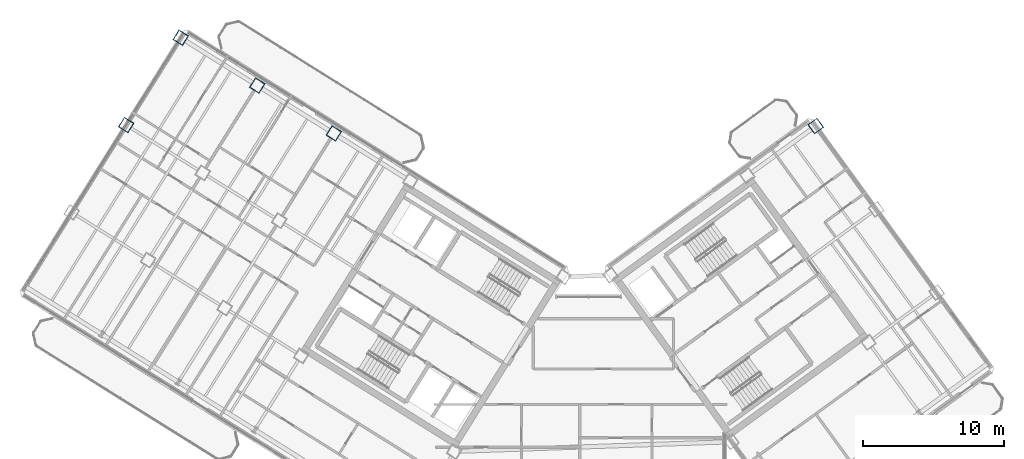
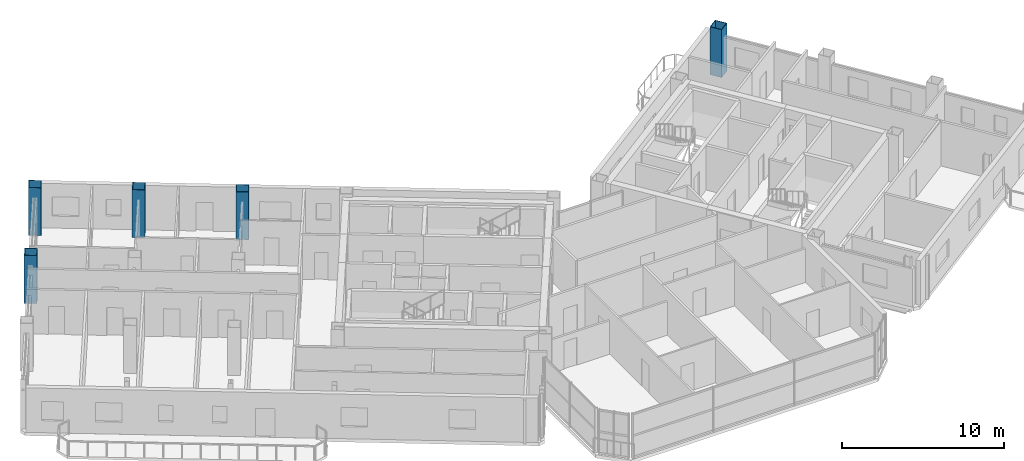
# One storey, part 3 of 29: 5 columns.
"""IFC4 building model written with IfcOpenShell, lengths in metres."""

from ifc_helpers import new_model, si_unit, direction, frame, origin, origin_2d, place, context, subcontext, project, spatial, hollow_rectangle, extrude, source, transform, mapped, material, material_profile, profile_set, type_object, element, save


model = new_model("IFC4")

# Units and contexts
model_context = context("Model", 3, precision=1e-05, world=origin(), true_north=direction((0.0, 1.0)))
body_context = subcontext(model_context, "Body", "Model", "MODEL_VIEW")
ifc_project = project(units=[si_unit("LENGTHUNIT", "METRE"), si_unit("AREAUNIT", "SQUARE_METRE"), si_unit("VOLUMEUNIT", "CUBIC_METRE"), si_unit("PLANEANGLEUNIT", "RADIAN"), si_unit("MASSUNIT", "GRAM", prefix="KILO")], contexts=[model_context])

# Site, building, storey
site_placement = place(None, origin())
site = spatial("IfcSite", under=ifc_project, at=site_placement, CompositionType="ELEMENT")
building_placement = place(site_placement, origin())
building = spatial("IfcBuilding", under=site, at=building_placement, Name="Tlacorven Tower", CompositionType="ELEMENT")
storey_placement = place(building_placement, frame((0.0, 0.0, 238.5)))
storey = spatial("IfcBuildingStorey", under=building, at=storey_placement, Name="L60", CompositionType="ELEMENT", Elevation=238.5)

# Columns
ifc_material = material(Name="Steel S460M", Category="steel")
ifc_material_profile = material_profile(ifc_material, hollow_rectangle(XDim=0.800048828125, YDim=0.800048828125, WallThickness=0.031982421875, at=origin_2d()), Name="BOX 800X800X32")
ifc_profile_set = profile_set([ifc_material_profile], Name="Steel S460M")
column_type = type_object("IfcColumnType", Name="COL-TWR-S3", PredefinedType="COLUMN", material=ifc_profile_set)
shared_shape = source(origin(), body_context, "Body", "SweptSolid", [
    extrude(hollow_rectangle(XDim=0.800048828125, YDim=0.800048828125, WallThickness=0.031982421875, at=origin_2d()), origin(), (0.0, 0.0, 1.0), 3.60009765625),
])
for number, where, z_axis, x_axis, name in (
    (1, (24.50048828125, 34.642822265625, 0.0), (0.0, 0.0, 1.0), (-0.848048096156, 0.529919264233, 0.0), "L60 column COL-L60-W4-1"),
    (2, (19.072998046875, 38.034423828125, 0.0), (0.0, 0.0, 1.0), (-0.848048096156, 0.529919264233, 0.0), "L60 column COL-L60-W5-1"),
    (3, (13.6455078125, 41.42578125, 0.0), (0.0, 0.0, 1.0), (-0.848048096156, 0.529919264233, 0.0), "L60 column COL-L60-W6-1"),
    (4, (9.777099609375, 35.235107421875, 0.0), (0.0, 0.0, 1.0), (-0.848048096156, 0.529919264233, 0.0), "L60 column COL-L60-W6-2"),
    (5, (58.68603515625, 35.165283203125, 0.0), (0.0, 0.0, 1.0), (0.809016994375, 0.587785252292, 0.0), "L60 column COL-L60-E4-4"),
):
    element("IfcColumn", number, at=place(storey_placement, frame(where, z_axis=z_axis, x_axis=x_axis)), inside=storey, type_object=column_type, Name=name, PredefinedType="COLUMN", context=body_context, shape_type="MappedRepresentation", body=[
        mapped(shared_shape, transform((0.0, 0.0, 0.0), scale=1.0)),
    ])

save(model, "model.ifc")
